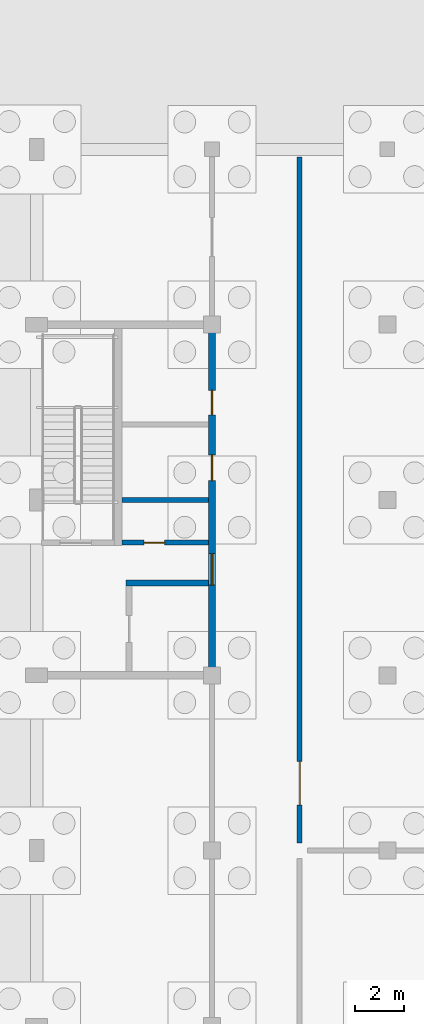
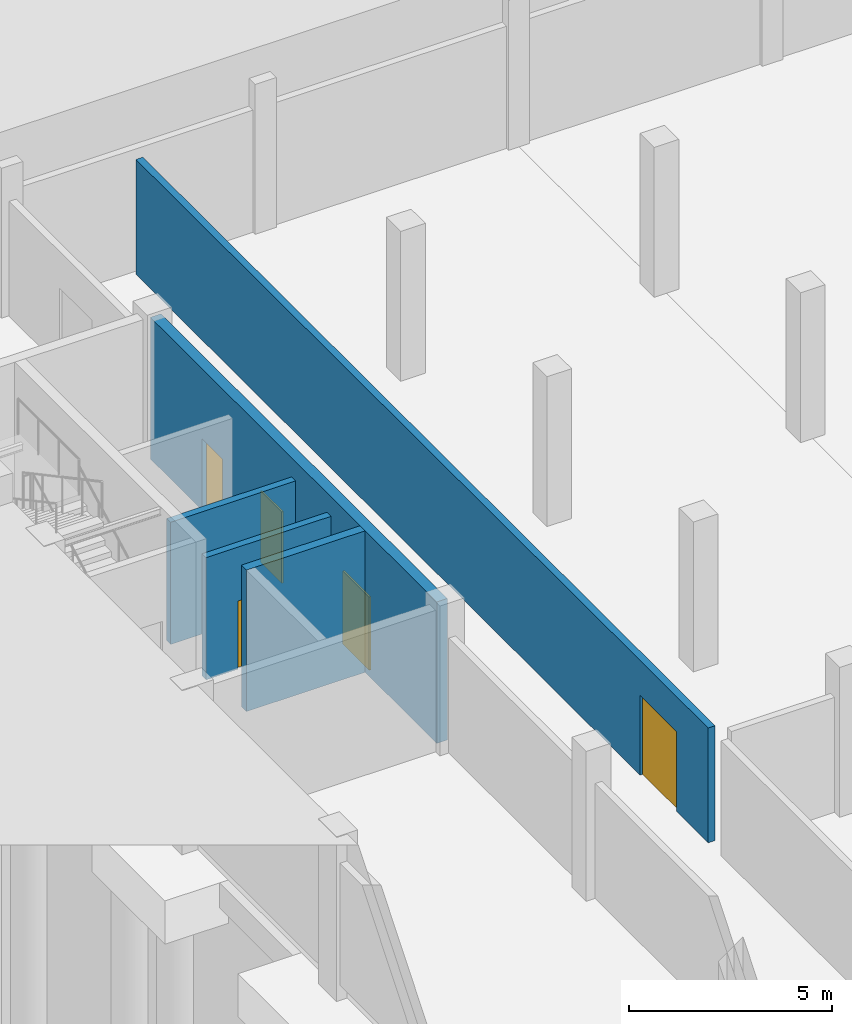
# One storey, part 34 of 51: 5 doors, 5 walls, 5 openings.
"""IFC4 building model written with IfcOpenShell, lengths in metres."""

from ifc_helpers import new_model, si_unit, direction, frame, frame_2d, origin, place, context, subcontext, project, spatial, rectangle, extrude, material, layer, layer_set, type_object, element, fill, save


model = new_model("IFC4")

# Units and contexts
model_context = context("Model", 3, precision=1e-05, world=origin(), true_north=direction((0.0, 1.0)))
body_context = subcontext(model_context, "Body", "Model", "MODEL_VIEW")
ifc_project = project(units=[si_unit("LENGTHUNIT", "METRE"), si_unit("AREAUNIT", "SQUARE_METRE"), si_unit("VOLUMEUNIT", "CUBIC_METRE"), si_unit("PLANEANGLEUNIT", "RADIAN"), si_unit("MASSUNIT", "GRAM", prefix="KILO")], contexts=[model_context])

# Site, building, storey
site_placement = place(None, origin())
site = spatial("IfcSite", under=ifc_project, at=site_placement, CompositionType="ELEMENT")
building_placement = place(site_placement, origin())
building = spatial("IfcBuilding", under=site, at=building_placement, Name="Zlatovets Crest Museum", CompositionType="ELEMENT")
storey_placement = place(building_placement, frame((0.0, 0.0, -4.5)))
storey = spatial("IfcBuildingStorey", under=building, at=storey_placement, Name="B1", CompositionType="ELEMENT", Elevation=-4.5)

# Wall, openings, doors
ifc_material_1 = material(Name="Concrete C35/45", Category="concrete")
ifc_layer_1 = layer(ifc_material_1, 0.300048828125)
ifc_layer_set_1 = layer_set([ifc_layer_1], Name="Concrete C35/45")
wall_type_1 = type_object("IfcWallType", Name="CoreWall_SW01", PredefinedType="SHEAR", material=ifc_layer_set_1)
wall_1_placement = place(storey_placement, frame((136.800048828125, 79.35009765625, 0.0), z_axis=(0.0, 0.0, 1.0), x_axis=(0.0, 1.0, 0.0)))
wall_1 = element("IfcWall", 1, at=wall_1_placement, inside=storey, type_object=wall_type_1, Name="Core C7 B1 Spine Shear Wall", PredefinedType="SHEAR", context=body_context, shape_type="SweptSolid", body=[
    extrude(rectangle(XDim=14.099853515625, YDim=0.300048828125, at=frame_2d((7.0498046875, 0.0))), origin(), (0.0, 0.0, 1.0), 4.25),
])
opening_1_placement = place(wall_1_placement, frame((3.550048828125, 0.0, 0.0)))
opening_1 = element("IfcOpeningElement", 2, at=opening_1_placement, cuts=wall_1, Name="Opening FD-01", PredefinedType="OPENING", context=body_context, shape_type="SweptSolid", body=[
    extrude(rectangle(XDim=1.300048828125, YDim=2.199951171875, at=frame_2d((0.64990234375, 1.10009765625))), frame((0.0, 0.16015625, 0.0), z_axis=(0.0, -1.0, 0.0), x_axis=(1.0, 0.0, 0.0)), (0.0, 0.0, 1.0), 0.320068359375),
])
opening_2_placement = place(wall_1_placement, frame((7.85009765625, 0.0, 0.0)))
opening_2 = element("IfcOpeningElement", 3, at=opening_2_placement, cuts=wall_1, Name="Opening ID-02", PredefinedType="OPENING", context=body_context, shape_type="SweptSolid", body=[
    extrude(rectangle(XDim=1.050048828125, YDim=2.14990234375, at=frame_2d((0.52490234375, 1.074951171875))), frame((0.0, 0.16015625, 0.0), z_axis=(0.0, -1.0, 0.0), x_axis=(1.0, 0.0, 0.0)), (0.0, 0.0, 1.0), 0.320068359375),
])
opening_3_placement = place(wall_1_placement, frame((10.550048828125, 0.0, 0.0)))
opening_3 = element("IfcOpeningElement", 4, at=opening_3_placement, cuts=wall_1, Name="Opening ID-01", PredefinedType="OPENING", context=body_context, shape_type="SweptSolid", body=[
    extrude(rectangle(XDim=1.0, YDim=2.14990234375, at=frame_2d((0.5, 1.074951171875))), frame((0.0, 0.16015625, 0.0), z_axis=(0.0, -1.0, 0.0), x_axis=(1.0, 0.0, 0.0)), (0.0, 0.0, 1.0), 0.320068359375),
])
ifc_material_2 = material(Name="Smoke-sealed steel fire door", Category="steel")
door_type_1 = type_object("IfcDoorType", Name="IntDoor_FD-01", OperationType="NOTDEFINED", PredefinedType="DOOR", material=ifc_material_2)
door_1_placement = place(opening_1_placement, origin())
door_1 = element("IfcDoor", 5, at=door_1_placement, inside=storey, type_object=door_type_1, Name="CDOOR-C7-B1-LOB Core C7 B1 Lobby Fire Door", OperationType="SINGLE_SWING_LEFT", OverallHeight=2.199951171875, OverallWidth=1.300048828125, PredefinedType="DOOR", context=body_context, shape_type="SweptSolid", body=[
    extrude(rectangle(XDim=1.300048828125, YDim=2.199951171875, at=frame_2d((0.64990234375, 1.10009765625))), frame((0.0, 0.02490234375, 0.0), z_axis=(0.0, -1.0, 0.0), x_axis=(1.0, 0.0, 0.0)), (0.0, 0.0, 1.0), 0.050048828125),
])
fill(opening_1, door_1)
ifc_material_3 = material(Name="Solid oak museum room door")
door_type_2 = type_object("IfcDoorType", Name="IntDoor_ID-01", OperationType="NOTDEFINED", PredefinedType="DOOR", material=ifc_material_3)
door_2_placement = place(opening_3_placement, origin())
door_2 = element("IfcDoor", 6, at=door_2_placement, inside=storey, type_object=door_type_2, Name="CDOOR-C7-B1-WC Core C7 B1 Public Restroom Door", OperationType="SINGLE_SWING_RIGHT", OverallHeight=2.14990234375, OverallWidth=1.0, PredefinedType="DOOR", context=body_context, shape_type="SweptSolid", body=[
    extrude(rectangle(XDim=1.0, YDim=2.14990234375, at=frame_2d((0.5, 1.074951171875))), frame((0.0, 0.02490234375, 0.0), z_axis=(0.0, -1.0, 0.0), x_axis=(1.0, 0.0, 0.0)), (0.0, 0.0, 1.0), 0.050048828125),
])
fill(opening_3, door_2)
ifc_material_4 = material(Name="Accessible sanitary room door")
door_type_3 = type_object("IfcDoorType", Name="IntDoor_ID-02", OperationType="NOTDEFINED", PredefinedType="DOOR", material=ifc_material_4)
door_3_placement = place(opening_2_placement, origin())
door_3 = element("IfcDoor", 7, at=door_3_placement, inside=storey, type_object=door_type_3, Name="CDOOR-C7-B1-AWC Core C7 B1 Accessible WC Door", OperationType="SINGLE_SWING_LEFT", OverallHeight=2.14990234375, OverallWidth=1.050048828125, PredefinedType="DOOR", context=body_context, shape_type="SweptSolid", body=[
    extrude(rectangle(XDim=1.050048828125, YDim=2.14990234375, at=frame_2d((0.52490234375, 1.074951171875))), frame((0.0, 0.02490234375, 0.0), z_axis=(0.0, -1.0, 0.0), x_axis=(1.0, 0.0, 0.0)), (0.0, 0.0, 1.0), 0.050048828125),
])
fill(opening_2, door_3)

# Wall
ifc_layer_2 = layer(ifc_material_1, 0.25)
ifc_layer_set_2 = layer_set([ifc_layer_2], Name="Concrete C35/45")
wall_type_2 = type_object("IfcWallType", Name="CoreWall_SW02", PredefinedType="SHEAR", material=ifc_layer_set_2)
wall_2_placement = place(storey_placement, frame((133.27490234375, 83.0, 0.0), z_axis=(0.0, 0.0, 1.0), x_axis=(1.0, 0.0, 0.0)))
element("IfcWall", 8, at=wall_2_placement, inside=storey, type_object=wall_type_2, Name="Core C7 B1 Lift Shaft North Shear Wall", PredefinedType="SHEAR", context=body_context, shape_type="SweptSolid", body=[
    extrude(rectangle(XDim=3.375, YDim=0.25, at=frame_2d((1.6875, 0.0))), origin(), (0.0, 0.0, 1.0), 4.25),
])

# Wall, opening, door
ifc_material_5 = material(Name="Gypsum-encased fire compartment partition")
ifc_layer_3 = layer(ifc_material_5, 0.199951171875)
ifc_layer_set_3 = layer_set([ifc_layer_3], Name="Gypsum-encased fire compartment partition")
wall_type_3 = type_object("IfcWallType", Name="PartWall_PT-01", PredefinedType="PARTITIONING", material=ifc_layer_set_3)
wall_3_placement = place(storey_placement, frame((140.39990234375, 72.320068359375, 0.0), z_axis=(0.0, 0.0, 1.0), x_axis=(0.0, 1.0, 0.0)))
wall_3 = element("IfcWall", 9, at=wall_3_placement, inside=storey, type_object=wall_type_3, Name="V5 B1 Interior Partition PT-01", PredefinedType="PARTITIONING", context=body_context, shape_type="SweptSolid", body=[
    extrude(rectangle(XDim=28.159912109375, YDim=0.199951171875, at=frame_2d((14.080078125, 0.0))), origin(), (0.0, 0.0, 1.0), 3.449951171875),
])
opening_4_placement = place(wall_3_placement, frame((1.548583984375, 0.0, 0.0)))
opening_4 = element("IfcOpeningElement", 10, at=opening_4_placement, cuts=wall_3, Name="Opening FD-04", PredefinedType="OPENING", context=body_context, shape_type="SweptSolid", body=[
    extrude(rectangle(XDim=1.800048828125, YDim=2.39990234375, at=frame_2d((0.89990234375, 1.199951171875))), frame((0.0, 0.10986328125, 0.0), z_axis=(0.0, -1.0, 0.0), x_axis=(1.0, 0.0, 0.0)), (0.0, 0.0, 1.0), 0.219970703125),
])
ifc_material_6 = material(Name="Archive vault heavy fire door")
door_type_4 = type_object("IfcDoorType", Name="IntDoor_FD-04", OperationType="DOUBLE_DOOR_SINGLE_SWING", PredefinedType="DOOR", material=ifc_material_6)
door_4_placement = place(opening_4_placement, origin())
door_4 = element("IfcDoor", 11, at=door_4_placement, inside=storey, type_object=door_type_4, Name="IDOOR-V5-B1-0039 Archive Spine Corridor B1 to Cold Photographic Collection Archive Door", OperationType="DOUBLE_DOOR_SINGLE_SWING", OverallHeight=2.39990234375, OverallWidth=1.800048828125, PredefinedType="DOOR", context=body_context, shape_type="SweptSolid", body=[
    extrude(rectangle(XDim=1.800048828125, YDim=2.39990234375, at=frame_2d((0.89990234375, 1.199951171875))), frame((0.0, 0.02490234375, 0.0), z_axis=(0.0, -1.0, 0.0), x_axis=(1.0, 0.0, 0.0)), (0.0, 0.0, 1.0), 0.050048828125),
])
fill(opening_4, door_4)

ifc_material_7 = material(Name="Sanitary core acoustic service wall")
ifc_layer_4 = layer(ifc_material_7, 0.219970703125)
ifc_layer_set_4 = layer_set([ifc_layer_4], Name="Sanitary core acoustic service wall")
wall_type_4 = type_object("IfcWallType", Name="PartWall_PT-04", PredefinedType="PLUMBINGWALL", material=ifc_layer_set_4)
wall_4_placement = place(storey_placement, frame((133.10009765625, 84.64990234375, 0.0), z_axis=(0.0, 0.0, 1.0), x_axis=(1.0, 0.0, 0.0)))
wall_4 = element("IfcWall", 12, at=wall_4_placement, inside=storey, type_object=wall_type_4, Name="Core C7 B1 Riser Lobby Wall", PredefinedType="PLUMBINGWALL", context=body_context, shape_type="SweptSolid", body=[
    extrude(rectangle(XDim=3.5498046875, YDim=0.199951171875, at=frame_2d((1.77490234375, 0.0))), origin(), (0.0, 0.0, 1.0), 3.669921875),
])
opening_5_placement = place(wall_4_placement, frame((0.89990234375, 0.0, 0.0)))
opening_5 = element("IfcOpeningElement", 13, at=opening_5_placement, cuts=wall_4, Name="Opening FD-03", PredefinedType="OPENING", context=body_context, shape_type="SweptSolid", body=[
    extrude(rectangle(XDim=0.85009765625, YDim=2.050048828125, at=frame_2d((0.425048828125, 1.02490234375))), frame((0.0, 0.10986328125, 0.0), z_axis=(0.0, -1.0, 0.0), x_axis=(1.0, 0.0, 0.0)), (0.0, 0.0, 1.0), 0.219970703125),
])
ifc_material_8 = material(Name="Steel riser shaft access fire door", Category="steel")
door_type_5 = type_object("IfcDoorType", Name="IntDoor_FD-03", OperationType="NOTDEFINED", PredefinedType="TRAPDOOR", material=ifc_material_8)
door_5_placement = place(opening_5_placement, origin())
door_5 = element("IfcDoor", 14, at=door_5_placement, inside=storey, type_object=door_type_5, Name="CDOOR-C7-B1-RIS Core C7 B1 Riser Access Door", OperationType="SINGLE_SWING_RIGHT", OverallHeight=2.050048828125, OverallWidth=0.85009765625, PredefinedType="TRAPDOOR", context=body_context, shape_type="SweptSolid", body=[
    extrude(rectangle(XDim=0.85009765625, YDim=2.050048828125, at=frame_2d((0.425048828125, 1.02490234375))), frame((0.0, 0.02490234375, 0.0), z_axis=(0.0, -1.0, 0.0), x_axis=(1.0, 0.0, 0.0)), (0.0, 0.0, 1.0), 0.050048828125),
])
fill(opening_5, door_5)

# Wall
wall_5_placement = place(storey_placement, frame((133.10009765625, 86.39990234375, 0.0), z_axis=(0.0, 0.0, 1.0), x_axis=(1.0, 0.0, 0.0)))
element("IfcWall", 15, at=wall_5_placement, inside=storey, type_object=wall_type_4, Name="Core C7 B1 Sanitary Divider", PredefinedType="PLUMBINGWALL", context=body_context, shape_type="SweptSolid", body=[
    extrude(rectangle(XDim=3.5498046875, YDim=0.199951171875, at=frame_2d((1.77490234375, 0.0))), origin(), (0.0, 0.0, 1.0), 3.669921875),
])

save(model, "model.ifc")
